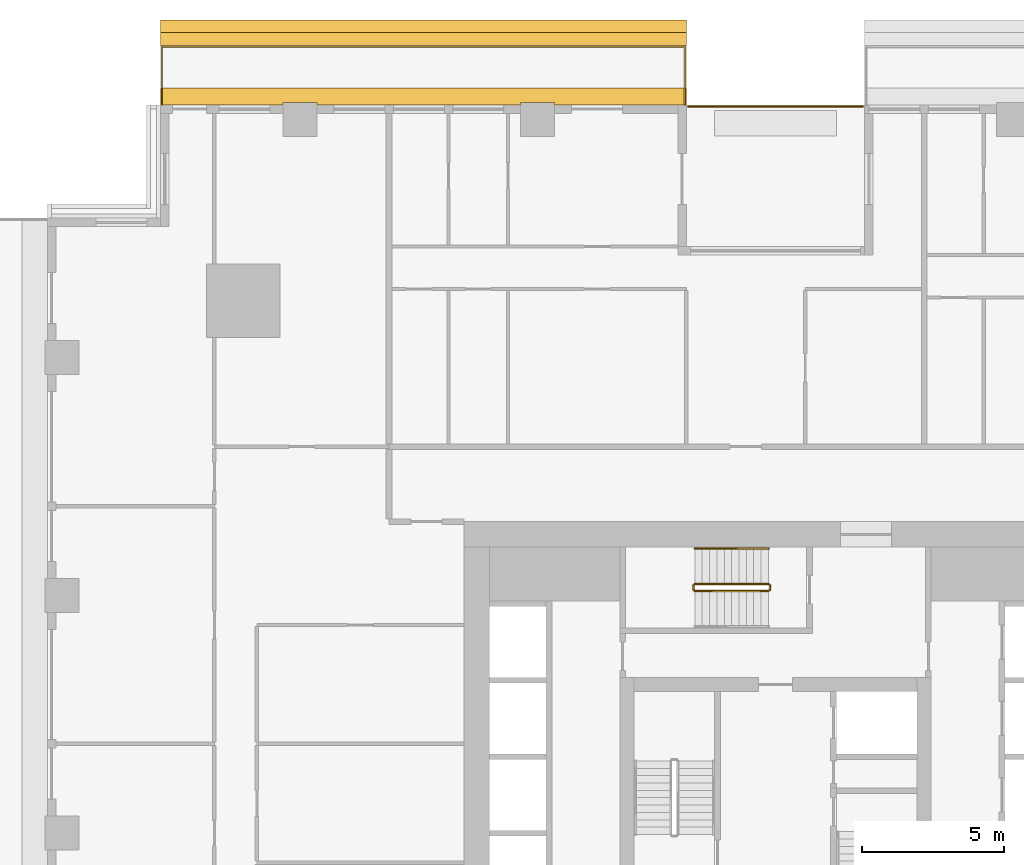
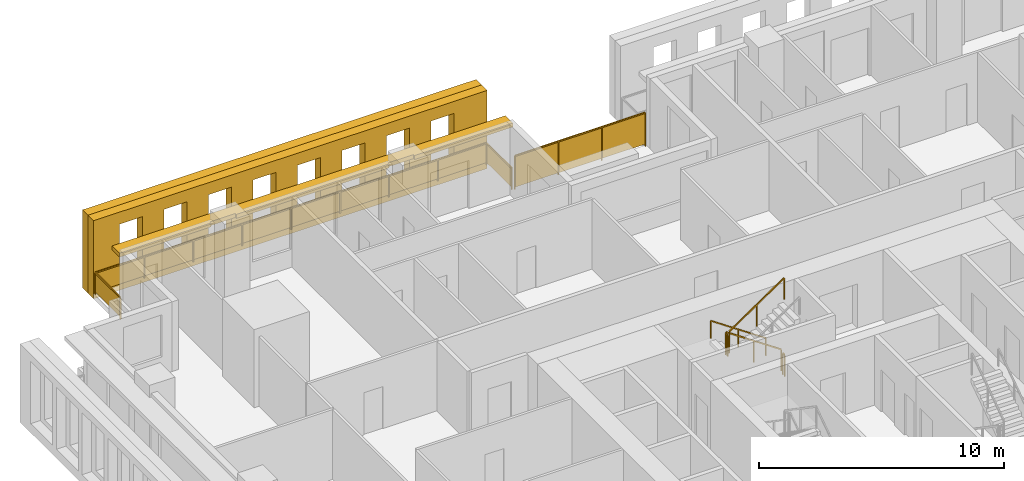
# One storey, part 15 of 16: 7 railings, 3 shading devices.
"""IFC4 building model written with IfcOpenShell, lengths in metres."""

from ifc_helpers import new_model, si_unit, direction, frame, origin, origin_2d, place, context, subcontext, project, spatial, polyline, rectangle, outline, extrude, material, layer, layer_set, type_object, element, save


model = new_model("IFC4")

# Units and contexts
model_context = context("Model", 3, precision=1e-05, world=origin(), true_north=direction((0.0, 1.0)))
body_context = subcontext(model_context, "Body", "Model", "MODEL_VIEW")
ifc_project = project(units=[si_unit("LENGTHUNIT", "METRE"), si_unit("AREAUNIT", "SQUARE_METRE"), si_unit("VOLUMEUNIT", "CUBIC_METRE"), si_unit("PLANEANGLEUNIT", "RADIAN"), si_unit("MASSUNIT", "GRAM", prefix="KILO")], contexts=[model_context])

# Site, building, storey
site_placement = place(None, origin())
site = spatial("IfcSite", under=ifc_project, at=site_placement, CompositionType="ELEMENT")
building_placement = place(site_placement, origin())
building = spatial("IfcBuilding", under=site, at=building_placement, Name="Khepri Terraces", CompositionType="ELEMENT")
storey_placement = place(building_placement, frame((0.0, 0.0, 133.800048828125)))
storey = spatial("IfcBuildingStorey", under=building, at=storey_placement, Name="L31", CompositionType="ELEMENT", Elevation=133.800048828125)

# Railings
ifc_material_1 = material(Name="Stainless steel grade 316", Category="steel")
railing_type_1 = type_object("IfcRailingType", Name="GRD-BAL-1100", PredefinedType="GUARDRAIL", material=ifc_material_1)
railing_1_placement = place(storey_placement, frame((-3.199951171875, 25.719970703125, 0.0)))
element("IfcRailing", 1, at=railing_1_placement, inside=storey, type_object=railing_type_1, Name="Balcony guard L31 N", PredefinedType="GUARDRAIL", context=body_context, shape_type="SweptSolid", body=[
    extrude(rectangle(XDim=0.050048828125, YDim=0.06005859375, at=origin_2d()), frame((0.0, 0.0, 1.070068359375), z_axis=(0.0, 1.0, 0.0), x_axis=(-1.0, 0.0, 0.0)), (0.0, 0.0, 1.0), 2.050048828125),
    extrude(rectangle(XDim=2.0, YDim=0.011962890625, at=origin_2d()), frame((0.0, 1.02490234375, 0.10009765625), z_axis=(0.0, 0.0, 1.0), x_axis=(0.0, 1.0, 0.0)), (0.0, 0.0, 1.0), 0.93994140625),
    extrude(rectangle(XDim=0.050048828125, YDim=0.06005859375, at=origin_2d()), frame((0.0, 2.050048828125, 1.070068359375), z_axis=(-1.0, 0.0, 0.0), x_axis=(0.0, -1.0, 0.0)), (0.0, 0.0, 1.0), 18.469970703125),
    extrude(rectangle(XDim=2.2587890625, YDim=0.011962890625, at=origin_2d()), frame((-1.154296875, 2.050048828125, 0.10009765625), z_axis=(0.0, 0.0, 1.0), x_axis=(-1.0, 0.0, 0.0)), (0.0, 0.0, 1.0), 0.93994140625),
    extrude(rectangle(XDim=2.2587890625, YDim=0.011962890625, at=origin_2d()), frame((-3.463134765625, 2.050048828125, 0.10009765625), z_axis=(0.0, 0.0, 1.0), x_axis=(-1.0, 0.0, 0.0)), (0.0, 0.0, 1.0), 0.93994140625),
    extrude(rectangle(XDim=2.2587890625, YDim=0.011962890625, at=origin_2d()), frame((-5.77197265625, 2.050048828125, 0.10009765625), z_axis=(0.0, 0.0, 1.0), x_axis=(-1.0, 0.0, 0.0)), (0.0, 0.0, 1.0), 0.93994140625),
    extrude(rectangle(XDim=2.2587890625, YDim=0.011962890625, at=origin_2d()), frame((-8.08056640625, 2.050048828125, 0.10009765625), z_axis=(0.0, 0.0, 1.0), x_axis=(-1.0, 0.0, 0.0)), (0.0, 0.0, 1.0), 0.93994140625),
    extrude(rectangle(XDim=2.2587890625, YDim=0.011962890625, at=origin_2d()), frame((-10.389404296875, 2.050048828125, 0.10009765625), z_axis=(0.0, 0.0, 1.0), x_axis=(-1.0, 0.0, 0.0)), (0.0, 0.0, 1.0), 0.93994140625),
    extrude(rectangle(XDim=2.2587890625, YDim=0.011962890625, at=origin_2d()), frame((-12.697998046875, 2.050048828125, 0.10009765625), z_axis=(0.0, 0.0, 1.0), x_axis=(-1.0, 0.0, 0.0)), (0.0, 0.0, 1.0), 0.93994140625),
    extrude(rectangle(XDim=2.2587890625, YDim=0.011962890625, at=origin_2d()), frame((-15.0068359375, 2.050048828125, 0.10009765625), z_axis=(0.0, 0.0, 1.0), x_axis=(-1.0, 0.0, 0.0)), (0.0, 0.0, 1.0), 0.93994140625),
    extrude(rectangle(XDim=2.2587890625, YDim=0.011962890625, at=origin_2d()), frame((-17.315673828125, 2.050048828125, 0.10009765625), z_axis=(0.0, 0.0, 1.0), x_axis=(-1.0, 0.0, 0.0)), (0.0, 0.0, 1.0), 0.93994140625),
    extrude(rectangle(XDim=0.050048828125, YDim=0.06005859375, at=origin_2d()), frame((-18.469970703125, 2.050048828125, 1.070068359375), z_axis=(0.0, -1.0, 0.0), x_axis=(1.0, 0.0, 0.0)), (0.0, 0.0, 1.0), 2.050048828125),
    extrude(rectangle(XDim=2.0, YDim=0.011962890625, at=origin_2d()), frame((-18.469970703125, 1.02490234375, 0.10009765625), z_axis=(0.0, 0.0, 1.0), x_axis=(0.0, -1.0, 0.0)), (0.0, 0.0, 1.0), 0.93994140625),
    extrude(rectangle(XDim=0.050048828125, YDim=0.050048828125, at=origin_2d()), origin(), (0.0, 0.0, 1.0), 1.0400390625),
    extrude(rectangle(XDim=0.050048828125, YDim=0.050048828125, at=origin_2d()), frame((0.0, 2.050048828125, 0.0)), (0.0, 0.0, 1.0), 1.0400390625),
    extrude(rectangle(XDim=0.050048828125, YDim=0.050048828125, at=origin_2d()), frame((-2.308837890625, 2.050048828125, 0.0)), (0.0, 0.0, 1.0), 1.0400390625),
    extrude(rectangle(XDim=0.050048828125, YDim=0.050048828125, at=origin_2d()), frame((-4.617431640625, 2.050048828125, 0.0)), (0.0, 0.0, 1.0), 1.0400390625),
    extrude(rectangle(XDim=0.050048828125, YDim=0.050048828125, at=origin_2d()), frame((-6.92626953125, 2.050048828125, 0.0)), (0.0, 0.0, 1.0), 1.0400390625),
    extrude(rectangle(XDim=0.050048828125, YDim=0.050048828125, at=origin_2d()), frame((-9.23486328125, 2.050048828125, 0.0)), (0.0, 0.0, 1.0), 1.0400390625),
    extrude(rectangle(XDim=0.050048828125, YDim=0.050048828125, at=origin_2d()), frame((-11.543701171875, 2.050048828125, 0.0)), (0.0, 0.0, 1.0), 1.0400390625),
    extrude(rectangle(XDim=0.050048828125, YDim=0.050048828125, at=origin_2d()), frame((-13.8525390625, 2.050048828125, 0.0)), (0.0, 0.0, 1.0), 1.0400390625),
    extrude(rectangle(XDim=0.050048828125, YDim=0.050048828125, at=origin_2d()), frame((-16.1611328125, 2.050048828125, 0.0)), (0.0, 0.0, 1.0), 1.0400390625),
    extrude(rectangle(XDim=0.050048828125, YDim=0.050048828125, at=origin_2d()), frame((-18.469970703125, 2.050048828125, 0.0)), (0.0, 0.0, 1.0), 1.0400390625),
    extrude(rectangle(XDim=0.050048828125, YDim=0.050048828125, at=origin_2d()), frame((-18.469970703125, 0.0, 0.0)), (0.0, 0.0, 1.0), 1.0400390625),
])
railing_type_2 = type_object("IfcRailingType", Name="GRD-TERR-1700", PredefinedType="GUARDRAIL", material=ifc_material_1)
railing_2_placement = place(storey_placement, frame((-3.080078125, 25.669921875, 0.0)))
element("IfcRailing", 2, at=railing_2_placement, inside=storey, type_object=railing_type_2, Name="Terrace guard L31", PredefinedType="GUARDRAIL", context=body_context, shape_type="SweptSolid", body=[
    extrude(rectangle(XDim=0.050048828125, YDim=0.06005859375, at=origin_2d()), frame((0.0, 0.0, 1.669921875), z_axis=(1.0, 0.0, 0.0), x_axis=(0.0, 1.0, 0.0)), (0.0, 0.0, 1.0), 6.16015625),
    extrude(rectangle(XDim=2.00341796875, YDim=0.011962890625, at=origin_2d()), frame((1.026611328125, 0.0, 0.10009765625), z_axis=(0.0, 0.0, 1.0), x_axis=(1.0, 0.0, 0.0)), (0.0, 0.0, 1.0), 1.539794921875),
    extrude(rectangle(XDim=2.00341796875, YDim=0.011962890625, at=origin_2d()), frame((3.080078125, 0.0, 0.10009765625), z_axis=(0.0, 0.0, 1.0), x_axis=(1.0, 0.0, 0.0)), (0.0, 0.0, 1.0), 1.539794921875),
    extrude(rectangle(XDim=2.00341796875, YDim=0.011962890625, at=origin_2d()), frame((5.133544921875, 0.0, 0.10009765625), z_axis=(0.0, 0.0, 1.0), x_axis=(1.0, 0.0, 0.0)), (0.0, 0.0, 1.0), 1.539794921875),
    extrude(rectangle(XDim=0.050048828125, YDim=0.050048828125, at=origin_2d()), origin(), (0.0, 0.0, 1.0), 1.639892578125),
    extrude(rectangle(XDim=0.050048828125, YDim=0.050048828125, at=origin_2d()), frame((2.053466796875, 0.0, 0.0)), (0.0, 0.0, 1.0), 1.639892578125),
    extrude(rectangle(XDim=0.050048828125, YDim=0.050048828125, at=origin_2d()), frame((4.106689453125, 0.0, 0.0)), (0.0, 0.0, 1.0), 1.639892578125),
    extrude(rectangle(XDim=0.050048828125, YDim=0.050048828125, at=origin_2d()), frame((6.16015625, 0.0, 0.0)), (0.0, 0.0, 1.0), 1.639892578125),
])
ifc_material_2 = material(Name="Stainless steel 316", Category="steel")
railing_type_3 = type_object("IfcRailingType", Name="RL-CORE-GUARD", PredefinedType="GUARDRAIL", material=ifc_material_2)
railing_3_placement = place(storey_placement, frame((-0.25, 8.800048828125, 0.17724609375)))
element("IfcRailing", 3, at=railing_3_placement, inside=storey, type_object=railing_type_3, Name="L31 ST-3 stair guard 1", PredefinedType="GUARDRAIL", context=body_context, shape_type="SweptSolid", body=[
    extrude(rectangle(XDim=0.050048828125, YDim=0.06005859375, at=origin_2d()), frame((0.0, 0.0, 1.070068359375), z_axis=(-0.826240473404, 0.0, 0.563317565952), x_axis=(0.0, -1.0, 0.0)), (0.0, 0.0, 1.0), 3.14697265625),
    extrude(rectangle(XDim=0.050048828125, YDim=0.050048828125, at=origin_2d()), origin(), (0.0, 0.0, 1.0), 1.0400390625),
    extrude(rectangle(XDim=0.050048828125, YDim=0.050048828125, at=origin_2d()), frame((-1.300048828125, 0.0, 0.88623046875)), (0.0, 0.0, 1.0), 1.0400390625),
    extrude(rectangle(XDim=0.050048828125, YDim=0.050048828125, at=origin_2d()), frame((-2.60009765625, 0.0, 1.772705078125)), (0.0, 0.0, 1.0), 1.0400390625),
])
railing_4_placement = place(storey_placement, frame((-2.89990234375, 8.75, 1.949951171875)))
element("IfcRailing", 4, at=railing_4_placement, inside=storey, type_object=railing_type_3, Name="L31 ST-3 stair guard 2", PredefinedType="GUARDRAIL", context=body_context, shape_type="SweptSolid", body=[
    extrude(rectangle(XDim=0.050048828125, YDim=0.06005859375, at=origin_2d()), frame((0.0, 0.0, 1.070068359375), z_axis=(0.0, -1.0, 0.0), x_axis=(1.0, 0.0, 0.0)), (0.0, 0.0, 1.0), 0.14990234375),
    extrude(rectangle(XDim=0.050048828125, YDim=0.050048828125, at=origin_2d()), origin(), (0.0, 0.0, 1.0), 1.0400390625),
    extrude(rectangle(XDim=0.050048828125, YDim=0.050048828125, at=origin_2d()), frame((0.0, -0.14990234375, 0.0)), (0.0, 0.0, 1.0), 1.0400390625),
])
railing_5_placement = place(storey_placement, frame((-2.85009765625, 8.550048828125, 2.127197265625)))
element("IfcRailing", 5, at=railing_5_placement, inside=storey, type_object=railing_type_3, Name="L31 ST-3 stair guard 3", PredefinedType="GUARDRAIL", context=body_context, shape_type="SweptSolid", body=[
    extrude(rectangle(XDim=0.050048828125, YDim=0.06005859375, at=origin_2d()), frame((0.0, 0.0, 1.070068359375), z_axis=(0.826240473404, 0.0, 0.563317565952), x_axis=(0.0, 1.0, 0.0)), (0.0, 0.0, 1.0), 3.14697265625),
    extrude(rectangle(XDim=0.050048828125, YDim=0.050048828125, at=origin_2d()), origin(), (0.0, 0.0, 1.0), 1.0400390625),
    extrude(rectangle(XDim=0.050048828125, YDim=0.050048828125, at=origin_2d()), frame((1.300048828125, 0.0, 0.88623046875)), (0.0, 0.0, 1.0), 1.0400390625),
    extrude(rectangle(XDim=0.050048828125, YDim=0.050048828125, at=origin_2d()), frame((2.60009765625, 0.0, 1.772705078125)), (0.0, 0.0, 1.0), 1.0400390625),
])
railing_6_placement = place(storey_placement, frame((-0.199951171875, 8.75, 0.0)))
element("IfcRailing", 6, at=railing_6_placement, inside=storey, type_object=railing_type_3, Name="L31 ST-3 stair guard 4", PredefinedType="GUARDRAIL", context=body_context, shape_type="SweptSolid", body=[
    extrude(rectangle(XDim=0.050048828125, YDim=0.06005859375, at=origin_2d()), frame((0.0, 0.0, 1.070068359375), z_axis=(0.0, -1.0, 0.0), x_axis=(1.0, 0.0, 0.0)), (0.0, 0.0, 1.0), 0.14990234375),
    extrude(rectangle(XDim=0.050048828125, YDim=0.050048828125, at=origin_2d()), origin(), (0.0, 0.0, 1.0), 1.0400390625),
    extrude(rectangle(XDim=0.050048828125, YDim=0.050048828125, at=origin_2d()), frame((0.0, -0.14990234375, 0.0)), (0.0, 0.0, 1.0), 1.0400390625),
])
railing_type_4 = type_object("IfcRailingType", Name="RL-CORE-HANDRAIL", PredefinedType="HANDRAIL", material=ifc_material_2)
railing_7_placement = place(storey_placement, frame((-0.25, 10.050048828125, 0.17724609375)))
element("IfcRailing", 7, at=railing_7_placement, inside=storey, type_object=railing_type_4, Name="L31 ST-3 stair handrail 1", PredefinedType="HANDRAIL", context=body_context, shape_type="SweptSolid", body=[
    extrude(rectangle(XDim=0.050048828125, YDim=0.050048828125, at=origin_2d()), frame((0.0, 0.0, 0.875), z_axis=(-0.826240473404, 0.0, 0.563317565952), x_axis=(0.0, -1.0, 0.0)), (0.0, 0.0, 1.0), 3.14697265625),
    extrude(rectangle(XDim=0.050048828125, YDim=0.050048828125, at=origin_2d()), origin(), (0.0, 0.0, 1.0), 0.849853515625),
    extrude(rectangle(XDim=0.050048828125, YDim=0.050048828125, at=origin_2d()), frame((-1.300048828125, 0.0, 0.88623046875)), (0.0, 0.0, 1.0), 0.849853515625),
    extrude(rectangle(XDim=0.050048828125, YDim=0.050048828125, at=origin_2d()), frame((-2.60009765625, 0.0, 1.772705078125)), (0.0, 0.0, 1.0), 0.849853515625),
])

# Shading devices
ifc_material_3 = material(Name="Precast concrete C50/60 warm stone", Category="masonry")
shading_device_type_1 = type_object("IfcShadingDeviceType", Name="SCR-CELL-INNER-450", PredefinedType="USERDEFINED", material=ifc_material_3)
shading_device_1_placement = place(storey_placement, frame((-3.14990234375, 27.820068359375, -0.25), z_axis=(0.0, 1.0, 0.0), x_axis=(-1.0, 0.0, 0.0)))
element("IfcShadingDevice", 8, at=shading_device_1_placement, inside=storey, type_object=shading_device_type_1, Name="Cell screen L31 N in", ObjectType="SCREEN", PredefinedType="USERDEFINED", context=body_context, shape_type="SweptSolid", body=[
    extrude(outline(polyline([(0.0, 0.0), (18.570068359375, 0.0), (18.570068359375, 3.89990234375), (0.0, 3.89990234375), (0.0, 0.0)]), holes=[polyline([(1.556640625, 0.699951171875), (2.643310546875, 0.699951171875), (2.643310546875, 3.300048828125), (1.556640625, 3.300048828125), (1.556640625, 0.699951171875)]), polyline([(3.656494140625, 0.699951171875), (4.743408203125, 0.699951171875), (4.743408203125, 3.300048828125), (3.656494140625, 3.300048828125), (3.656494140625, 0.699951171875)]), polyline([(5.756591796875, 0.699951171875), (6.843505859375, 0.699951171875), (6.843505859375, 3.300048828125), (5.756591796875, 3.300048828125), (5.756591796875, 0.699951171875)]), polyline([(7.856689453125, 0.699951171875), (8.943359375, 0.699951171875), (8.943359375, 3.300048828125), (7.856689453125, 3.300048828125), (7.856689453125, 0.699951171875)]), polyline([(9.95654296875, 0.699951171875), (11.04345703125, 0.699951171875), (11.04345703125, 3.300048828125), (9.95654296875, 3.300048828125), (9.95654296875, 0.699951171875)]), polyline([(12.056640625, 0.699951171875), (13.143310546875, 0.699951171875), (13.143310546875, 3.300048828125), (12.056640625, 3.300048828125), (12.056640625, 0.699951171875)]), polyline([(14.156494140625, 0.699951171875), (15.243408203125, 0.699951171875), (15.243408203125, 3.300048828125), (14.156494140625, 3.300048828125), (14.156494140625, 0.699951171875)]), polyline([(16.256591796875, 0.699951171875), (17.343505859375, 0.699951171875), (17.343505859375, 3.300048828125), (16.256591796875, 3.300048828125), (16.256591796875, 0.699951171875)])]), origin(), (0.0, 0.0, 1.0), 0.449951171875),
])
shading_device_type_2 = type_object("IfcShadingDeviceType", Name="SCR-CELL-OUTER-450", PredefinedType="USERDEFINED", material=ifc_material_3)
shading_device_2_placement = place(storey_placement, frame((-3.14990234375, 28.27001953125, -0.25), z_axis=(0.0, 1.0, 0.0), x_axis=(-1.0, 0.0, 0.0)))
element("IfcShadingDevice", 9, at=shading_device_2_placement, inside=storey, type_object=shading_device_type_2, Name="Cell screen L31 N out", ObjectType="SCREEN", PredefinedType="USERDEFINED", context=body_context, shape_type="SweptSolid", body=[
    extrude(outline(polyline([(0.0, 0.0), (18.570068359375, 0.0), (18.570068359375, 3.89990234375), (0.0, 3.89990234375), (0.0, 0.0)]), holes=[polyline([(1.20654296875, 0.449951171875), (2.993408203125, 0.449951171875), (2.993408203125, 3.550048828125), (1.20654296875, 3.550048828125), (1.20654296875, 0.449951171875)]), polyline([(3.306640625, 0.449951171875), (5.093505859375, 0.449951171875), (5.093505859375, 3.550048828125), (3.306640625, 3.550048828125), (3.306640625, 0.449951171875)]), polyline([(5.406494140625, 0.449951171875), (7.193359375, 0.449951171875), (7.193359375, 3.550048828125), (5.406494140625, 3.550048828125), (5.406494140625, 0.449951171875)]), polyline([(7.506591796875, 0.449951171875), (9.29345703125, 0.449951171875), (9.29345703125, 3.550048828125), (7.506591796875, 3.550048828125), (7.506591796875, 0.449951171875)]), polyline([(9.606689453125, 0.449951171875), (11.393310546875, 0.449951171875), (11.393310546875, 3.550048828125), (9.606689453125, 3.550048828125), (9.606689453125, 0.449951171875)]), polyline([(11.70654296875, 0.449951171875), (13.493408203125, 0.449951171875), (13.493408203125, 3.550048828125), (11.70654296875, 3.550048828125), (11.70654296875, 0.449951171875)]), polyline([(13.806640625, 0.449951171875), (15.593505859375, 0.449951171875), (15.593505859375, 3.550048828125), (13.806640625, 3.550048828125), (13.806640625, 0.449951171875)]), polyline([(15.906494140625, 0.449951171875), (17.693359375, 0.449951171875), (17.693359375, 3.550048828125), (15.906494140625, 3.550048828125), (15.906494140625, 0.449951171875)])]), origin(), (0.0, 0.0, 1.0), 0.449951171875),
])
ifc_layer = layer(ifc_material_3, 0.199951171875, Name="Precast concrete C50/60 warm stone", Category="masonry")
ifc_layer_set = layer_set([ifc_layer], Name="Precast concrete C50/60 warm stone")
shading_device_type_3 = type_object("IfcShadingDeviceType", Name="SSH-BAND-STONE-200-N", PredefinedType="USERDEFINED", material=ifc_layer_set)
shading_device_3_placement = place(storey_placement, frame((0.0, 0.0, 3.099853515625)))
element("IfcShadingDevice", 10, at=shading_device_3_placement, inside=storey, type_object=shading_device_type_3, Name="Sunshade band L31 N", ObjectType="SUNSHADE", PredefinedType="USERDEFINED", context=body_context, shape_type="SweptSolid", body=[
    extrude(outline(polyline([(-7.800048828125, 25.719970703125), (-3.14990234375, 25.719970703125), (-3.14990234375, 26.320068359375), (-21.719970703125, 26.320068359375), (-21.719970703125, 25.719970703125), (-17.39990234375, 25.719970703125), (-17.39990234375, 25.800048828125), (-16.199951171875, 25.800048828125), (-16.199951171875, 25.719970703125), (-9.0, 25.719970703125), (-9.0, 25.800048828125), (-7.800048828125, 25.800048828125), (-7.800048828125, 25.719970703125)])), origin(), (0.0, 0.0, 1.0), 0.2001953125),
])

save(model, "model.ifc")
